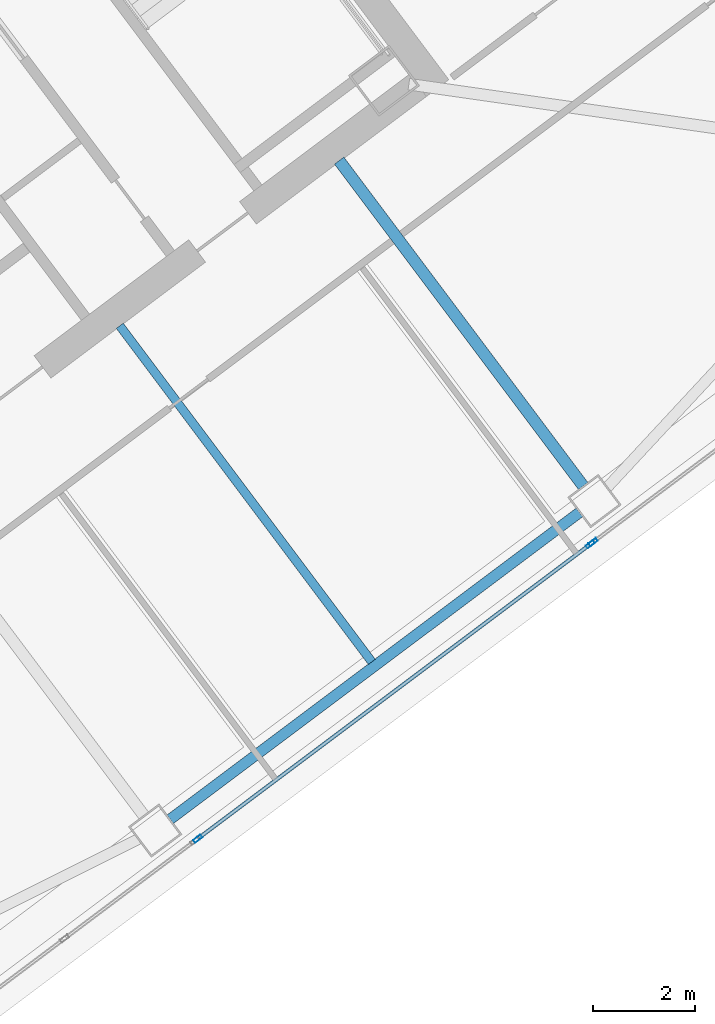
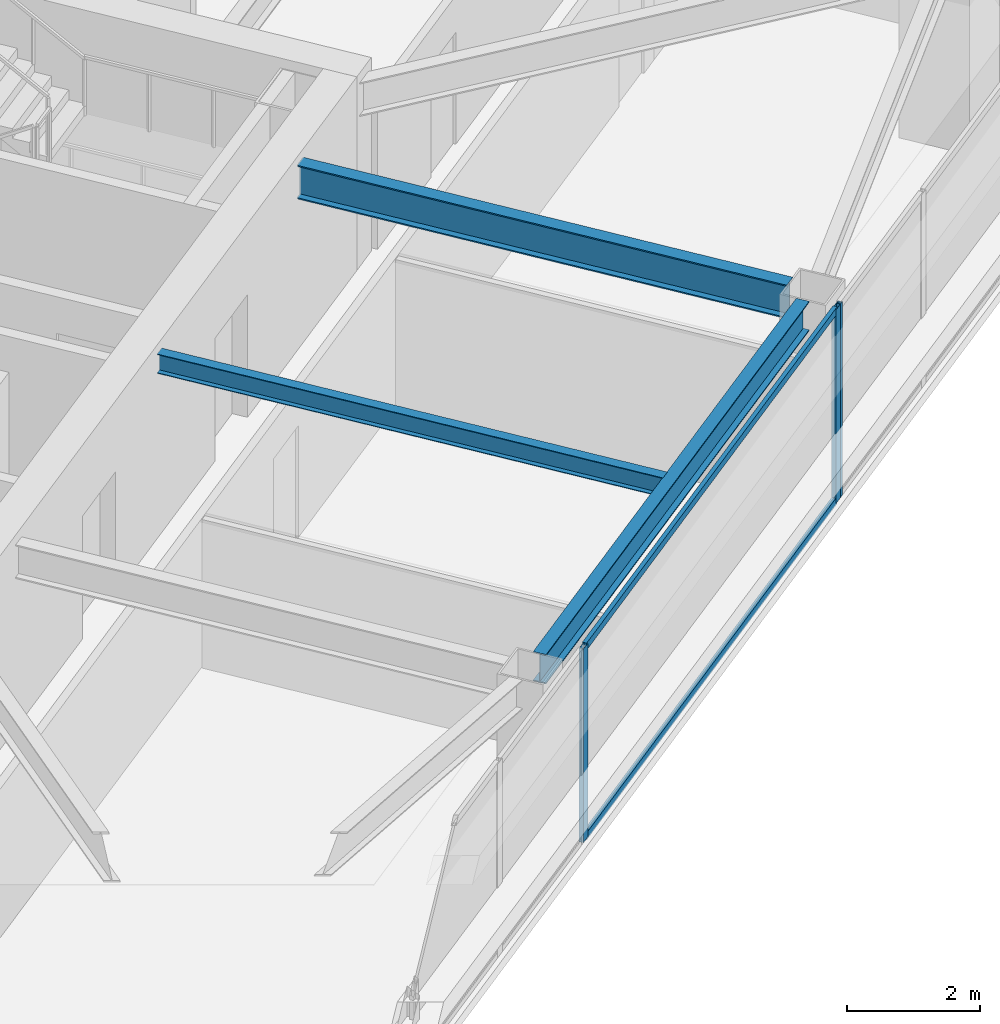
# One storey, part 24 of 43: 5 members, 3 beams, 2 elements without a shape of their own.
"""IFC4 building model written with IfcOpenShell, lengths in metres."""

from ifc_helpers import new_model, si_unit, direction, frame, origin, origin_2d, place, context, subcontext, project, spatial, hollow_rectangle, i_section, extrude, material, material_profile, profile_set, type_object, element, aggregate, save


model = new_model("IFC4")

# Units and contexts
model_context = context("Model", 3, precision=1e-05, world=origin(), true_north=direction((0.0, 1.0)))
body_context = subcontext(model_context, "Body", "Model", "MODEL_VIEW")
ifc_project = project(units=[si_unit("LENGTHUNIT", "METRE"), si_unit("AREAUNIT", "SQUARE_METRE"), si_unit("VOLUMEUNIT", "CUBIC_METRE"), si_unit("PLANEANGLEUNIT", "RADIAN"), si_unit("MASSUNIT", "GRAM", prefix="KILO")], contexts=[model_context])

# Site, building, storey
site_placement = place(None, origin())
site = spatial("IfcSite", under=ifc_project, at=site_placement, CompositionType="ELEMENT")
building_placement = place(site_placement, origin())
building = spatial("IfcBuilding", under=site, at=building_placement, Name="Tashvorn Skyway Center", CompositionType="ELEMENT")
storey_placement = place(building_placement, frame((0.0, 0.0, 160.550048828125)))
storey = spatial("IfcBuildingStorey", under=building, at=storey_placement, Name="L43", CompositionType="ELEMENT", Elevation=160.550048828125)

# Beams
ifc_material_1 = material(Name="Steel ASTM A992 Grade 50", Category="steel")
ifc_material_profile_1 = material_profile(ifc_material_1, i_section(OverallWidth=0.22998046875, OverallDepth=0.616943359375, WebThickness=0.01318359375, FlangeThickness=0.022216796875, at=origin_2d()), Name="W24X94")
ifc_profile_set_1 = profile_set([ifc_material_profile_1], Name="Steel ASTM A992 Grade 50")
beam_type_1 = type_object("IfcBeamType", Name="BM-BEAM-W24X94", PredefinedType="BEAM", material=ifc_profile_set_1)
beam_1_placement = place(storey_placement, frame((127.7880859375, 22.615966796875, 3.0615234375), z_axis=(-0.599995117266, 0.800003662027, 0.0), x_axis=(-0.800003662027, -0.599995117266, 0.0)))
element("IfcBeam", 1, at=beam_1_placement, inside=storey, type_object=beam_type_1, Name="Tower 2 L43 Primary Floor Girder FC-S2", PredefinedType="BEAM", context=body_context, shape_type="SweptSolid", body=[
    extrude(i_section(OverallWidth=0.22998046875, OverallDepth=0.616943359375, WebThickness=0.01318359375, FlangeThickness=0.022216796875, at=origin_2d()), origin(), (0.0, 0.0, 1.0), 8.000244140625),
])
ifc_material_profile_2 = material_profile(ifc_material_1, i_section(OverallWidth=0.1708984375, OverallDepth=0.35498046875, WebThickness=0.007080078125, FlangeThickness=0.01171875, at=origin_2d()), Name="W14X34")
ifc_profile_set_2 = profile_set([ifc_material_profile_2], Name="Steel ASTM A992 Grade 50")
beam_type_2 = type_object("IfcBeamType", Name="BM-JOIST-W14X34", PredefinedType="JOIST", material=ifc_profile_set_2)
beam_2_placement = place(storey_placement, frame((118.674072265625, 25.76806640625, 3.1923828125), z_axis=(0.59999527236, -0.800003545708, 0.0), x_axis=(0.800003545708, 0.59999527236, 0.0)))
element("IfcBeam", 2, at=beam_2_placement, inside=storey, type_object=beam_type_2, Name="Tower 2 L43 Secondary Composite Joist JS", PredefinedType="JOIST", context=body_context, shape_type="SweptSolid", body=[
    extrude(i_section(OverallWidth=0.1708984375, OverallDepth=0.35498046875, WebThickness=0.007080078125, FlangeThickness=0.01171875, at=origin_2d()), origin(), (0.0, 0.0, 1.0), 8.2626953125),
])
ifc_material_profile_3 = material_profile(ifc_material_1, i_section(OverallWidth=0.2109375, OverallDepth=0.5390625, WebThickness=0.01171875, FlangeThickness=0.018798828125, at=origin_2d()), Name="W21X73")
ifc_profile_set_3 = profile_set([ifc_material_profile_3], Name="Steel ASTM A992 Grade 50")
beam_type_3 = type_object("IfcBeamType", Name="BM-SPANDREL-W21X73", PredefinedType="SPANDREL", material=ifc_profile_set_3)
beam_3_placement = place(storey_placement, frame((119.666015625, 16.06201171875, 3.100341796875), z_axis=(0.800008736549, 0.599988351091, 0.0), x_axis=(-0.599988351091, 0.800008736549, 0.0)))
element("IfcBeam", 3, at=beam_3_placement, inside=storey, type_object=beam_type_3, Name="Tower 2 L43 Spandrel Beam 02", PredefinedType="SPANDREL", context=body_context, shape_type="SweptSolid", body=[
    extrude(i_section(OverallWidth=0.2109375, OverallDepth=0.5390625, WebThickness=0.01171875, FlangeThickness=0.018798828125, at=origin_2d()), origin(), (0.0, 0.0, 1.0), 10.06005859375),
])

# Curtain wall, member
ifc_material_2 = material(Name="Thermally broken bronze-anodized aluminium 6063-T6", Category="aluminium")
curtain_wall_type = type_object("IfcCurtainWallType", Name="CW-CW-Z4", PredefinedType="NOTDEFINED", material=ifc_material_2)
curtain_wall_1_placement = place(storey_placement, origin())
curtain_wall_1 = element("IfcCurtainWall", 4, at=curtain_wall_1_placement, inside=storey, type_object=curtain_wall_type, Name="Tower 2 L43 South Unitised Curtain Wall Glazing Group 1", PredefinedType="NOTDEFINED")
ifc_material_profile_4 = material_profile(ifc_material_2, hollow_rectangle(XDim=0.070068359375, YDim=0.179931640625, WallThickness=0.00390625, at=origin_2d()), Name="ALU-MULL-70x180")
ifc_profile_set_4 = profile_set([ifc_material_profile_4], Name="Thermally broken bronze-anodized aluminium 6063-T6")
member_type_1 = type_object("IfcMemberType", Name="CWM-CW-Z4", PredefinedType="MULLION", material=ifc_profile_set_4)
member_1_placement = place(storey_placement, frame((127.98388671875, 21.512939453125, 0.0), z_axis=(0.0, 0.0, 1.0), x_axis=(0.600000000002, -0.799999999998, 0.0)))
member_1 = element("IfcMember", 5, at=member_1_placement, type_object=member_type_1, Name="CW-Z4 mullion 3", PredefinedType="MULLION", context=body_context, shape_type="SweptSolid", body=[
    extrude(hollow_rectangle(XDim=0.070068359375, YDim=0.179931640625, WallThickness=0.00390625, at=origin_2d()), origin(), (0.0, 0.0, 1.0), 3.550048828125),
])
aggregate(curtain_wall_1, [member_1])

# Curtain wall, members
curtain_wall_2_placement = place(storey_placement, origin())
curtain_wall_2 = element("IfcCurtainWall", 6, at=curtain_wall_2_placement, inside=storey, type_object=curtain_wall_type, Name="Tower 2 L43 South Unitised Curtain Wall Glazing Group 2", PredefinedType="NOTDEFINED")
member_2_placement = place(storey_placement, frame((127.927978515625, 21.470947265625, 0.0), z_axis=(0.0, 0.0, 1.0), x_axis=(0.600000000002, -0.799999999998, 0.0)))
member_2 = element("IfcMember", 7, at=member_2_placement, type_object=member_type_1, Name="CW-Z4 mullion 1", PredefinedType="MULLION", context=body_context, shape_type="SweptSolid", body=[
    extrude(hollow_rectangle(XDim=0.070068359375, YDim=0.179931640625, WallThickness=0.00390625, at=origin_2d()), origin(), (0.0, 0.0, 1.0), 3.550048828125),
])
member_3_placement = place(storey_placement, frame((120.2080078125, 15.680908203125, 0.0), z_axis=(0.0, 0.0, 1.0), x_axis=(0.600000000002, -0.799999999998, 0.0)))
member_3 = element("IfcMember", 8, at=member_3_placement, type_object=member_type_1, Name="CW-Z4 mullion 2", PredefinedType="MULLION", context=body_context, shape_type="SweptSolid", body=[
    extrude(hollow_rectangle(XDim=0.070068359375, YDim=0.179931640625, WallThickness=0.00390625, at=origin_2d()), origin(), (0.0, 0.0, 1.0), 3.550048828125),
])
ifc_material_profile_5 = material_profile(ifc_material_2, hollow_rectangle(XDim=0.070068359375, YDim=0.1298828125, WallThickness=0.00390625, at=origin_2d()), Name="ALU-TRAN-70x130")
ifc_profile_set_5 = profile_set([ifc_material_profile_5], Name="Thermally broken bronze-anodized aluminium 6063-T6")
member_type_2 = type_object("IfcMemberType", Name="CWT-CW-Z4", PredefinedType="USERDEFINED", material=ifc_profile_set_5)
member_4_placement = place(storey_placement, frame((127.89990234375, 21.449951171875, 0.034912109375), z_axis=(-0.799990825408, -0.600012232595, 0.0), x_axis=(0.600012232595, -0.799990825408, 0.0)))
member_4 = element("IfcMember", 9, at=member_4_placement, type_object=member_type_2, Name="CW-Z4 transom 1.1", ObjectType="TRANSOM", PredefinedType="USERDEFINED", context=body_context, shape_type="SweptSolid", body=[
    extrude(hollow_rectangle(XDim=0.070068359375, YDim=0.1298828125, WallThickness=0.00390625, at=origin_2d()), origin(), (0.0, 0.0, 1.0), 9.579833984375),
])
member_5_placement = place(storey_placement, frame((127.89990234375, 21.449951171875, 3.514892578125), z_axis=(-0.799990825408, -0.600012232595, 0.0), x_axis=(0.600012232595, -0.799990825408, 0.0)))
member_5 = element("IfcMember", 10, at=member_5_placement, type_object=member_type_2, Name="CW-Z4 transom 1.2", ObjectType="TRANSOM", PredefinedType="USERDEFINED", context=body_context, shape_type="SweptSolid", body=[
    extrude(hollow_rectangle(XDim=0.070068359375, YDim=0.1298828125, WallThickness=0.00390625, at=origin_2d()), origin(), (0.0, 0.0, 1.0), 9.579833984375),
])
aggregate(curtain_wall_2, [member_2, member_3, member_4, member_5])

save(model, "model.ifc")
